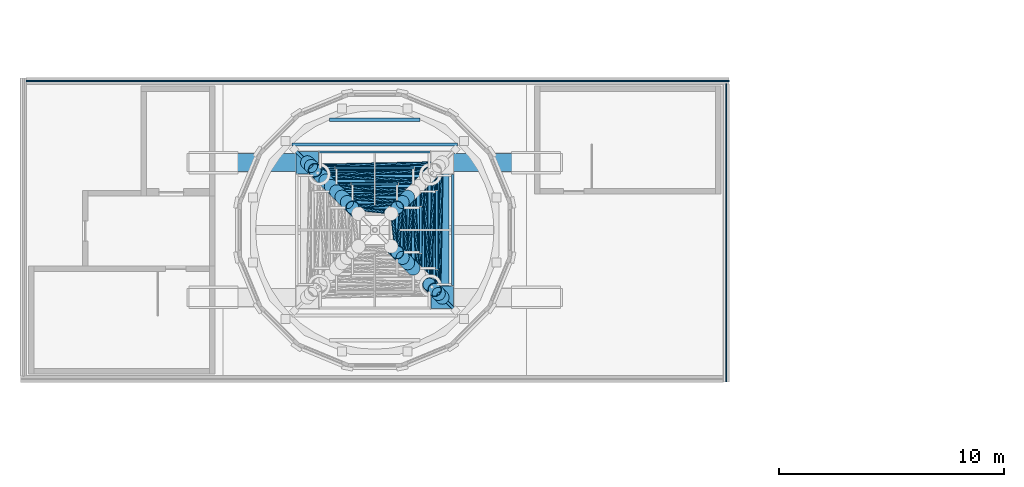
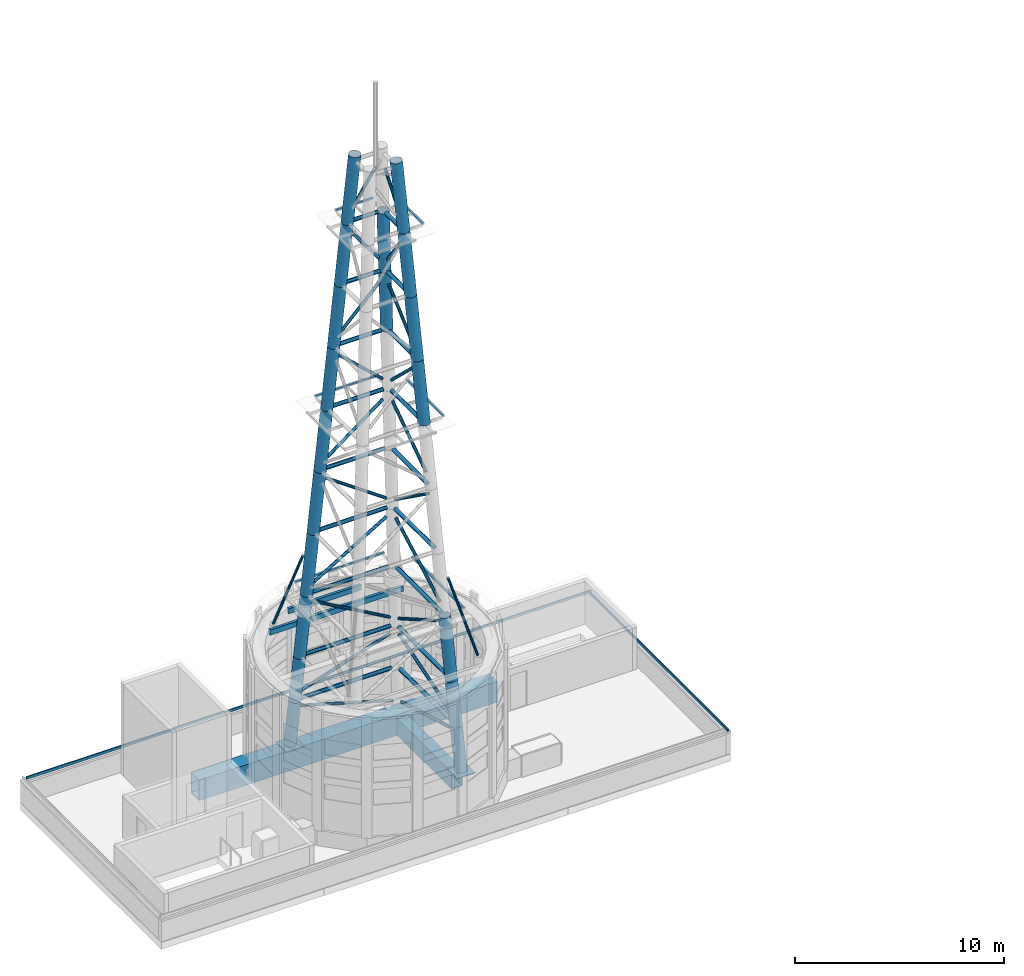
# One storey, part 4 of 36: 63 members, 10 beams.
"""IFC4 building model written with IfcOpenShell, lengths in metres."""

from ifc_helpers import new_model, si_unit, direction, frame, origin, origin_2d, place, context, subcontext, project, spatial, rectangle, hollow_rectangle, hollow_circle, extrude, material, material_profile, profile_set, type_object, element, save


model = new_model("IFC4")

# Units and contexts
model_context = context("Model", 3, precision=1e-05, world=origin(), true_north=direction((0.0, 1.0)))
body_context = subcontext(model_context, "Body", "Model", "MODEL_VIEW")
ifc_project = project(units=[si_unit("LENGTHUNIT", "METRE"), si_unit("AREAUNIT", "SQUARE_METRE"), si_unit("VOLUMEUNIT", "CUBIC_METRE"), si_unit("PLANEANGLEUNIT", "RADIAN"), si_unit("MASSUNIT", "GRAM", prefix="KILO")], contexts=[model_context])

# Site, building, storey
site_placement = place(None, origin())
site = spatial("IfcSite", under=ifc_project, at=site_placement, CompositionType="ELEMENT")
building_placement = place(site_placement, origin())
building = spatial("IfcBuilding", under=site, at=building_placement, Name="Ipe Terrace Towers", CompositionType="ELEMENT")
storey_placement = place(building_placement, frame((0.0, 0.0, 264.89990234375)))
storey = spatial("IfcBuildingStorey", under=building, at=storey_placement, Name="Roof", CompositionType="ELEMENT", Elevation=264.89990234375)

# Beams
ifc_material_1 = material(Name="Steel S355", Category="steel")
ifc_material_profile_1 = material_profile(ifc_material_1, hollow_rectangle(XDim=0.60009765625, YDim=1.0, WallThickness=0.030029296875, at=origin_2d()), Name="CROWN-CROSS BEAM BOX 600x1000x30")
ifc_profile_set_1 = profile_set([ifc_material_profile_1], Name="Steel S355")
beam_type_1 = type_object("IfcBeamType", Name="CROWN-CROSS BEAM BOX 600x1000x30", PredefinedType="BEAM", material=ifc_profile_set_1)
beam_1_placement = place(storey_placement, frame((-33.0, -2.60009765625, 0.5), z_axis=(0.0, 1.0, 0.0), x_axis=(-1.0, 0.0, 0.0)))
element("IfcBeam", 1, at=beam_1_placement, inside=storey, type_object=beam_type_1, Name="T1-CX2 crown cross beam", PredefinedType="BEAM", context=body_context, shape_type="SweptSolid", body=[
    extrude(hollow_rectangle(XDim=0.60009765625, YDim=1.0, WallThickness=0.030029296875, at=origin_2d()), origin(), (0.0, 0.0, 1.0), 5.2001953125),
])
ifc_material_2 = material(Name="Steel S355", Category="steel")
ifc_material_profile_2 = material_profile(ifc_material_2, hollow_rectangle(XDim=0.14990234375, YDim=0.300048828125, WallThickness=0.010009765625, at=origin_2d()), Name="CROWN-DRUM PURLIN BOX 150x300x10")
ifc_profile_set_2 = profile_set([ifc_material_profile_2], Name="Steel S355")
beam_type_2 = type_object("IfcBeamType", Name="CROWN-DRUM PURLIN BOX 150x300x10", PredefinedType="BEAM", material=ifc_profile_set_2)
beam_2_placement = place(storey_placement, frame((-39.68701171875, 3.800048828125, 7.550048828125), z_axis=(1.0, 0.0, 0.0), x_axis=(0.0, 1.0, 0.0)))
element("IfcBeam", 2, at=beam_2_placement, inside=storey, type_object=beam_type_2, Name="T1-CR-PU1N drum roof purlin", PredefinedType="BEAM", context=body_context, shape_type="SweptSolid", body=[
    extrude(hollow_rectangle(XDim=0.14990234375, YDim=0.300048828125, WallThickness=0.010009765625, at=origin_2d()), origin(), (0.0, 0.0, 1.0), 7.3740234375),
])
beam_3_placement = place(storey_placement, frame((-38.01806640625, 4.89990234375, 7.550048828125), z_axis=(1.0, 0.0, 0.0), x_axis=(0.0, 1.0, 0.0)))
element("IfcBeam", 3, at=beam_3_placement, inside=storey, type_object=beam_type_2, Name="T1-CR-PU2N drum roof purlin", PredefinedType="BEAM", context=body_context, shape_type="SweptSolid", body=[
    extrude(hollow_rectangle(XDim=0.14990234375, YDim=0.300048828125, WallThickness=0.010009765625, at=origin_2d()), origin(), (0.0, 0.0, 1.0), 4.0361328125),
])
ifc_material_3 = material(Name="Steel S355", Category="steel")
ifc_material_profile_3 = material_profile(ifc_material_3, hollow_rectangle(XDim=0.800048828125, YDim=1.199951171875, WallThickness=0.0400390625, at=origin_2d()), Name="CROWN-GIRDER BOX 800x1200x40")
ifc_profile_set_3 = profile_set([ifc_material_profile_3], Name="Steel S355")
beam_type_3 = type_object("IfcBeamType", Name="CROWN-GIRDER BOX 800x1200x40", PredefinedType="BEAM", material=ifc_profile_set_3)
beam_4_placement = place(storey_placement, frame((-44.25, 3.0, 0.60009765625), z_axis=(1.0, 0.0, 0.0), x_axis=(0.0, 1.0, 0.0)))
element("IfcBeam", 4, at=beam_4_placement, inside=storey, type_object=beam_type_3, Name="T1-CG2 crown girder", PredefinedType="BEAM", context=body_context, shape_type="SweptSolid", body=[
    extrude(hollow_rectangle(XDim=0.800048828125, YDim=1.199951171875, WallThickness=0.0400390625, at=origin_2d()), origin(), (0.0, 0.0, 1.0), 16.5),
])

# Members
ifc_material_4 = material(Name="Steel S355", Category="steel")
member_type_1 = type_object("IfcMemberType", Name="MAST-BASE PLATE 1000x1000x50", PredefinedType="PLATE", material=ifc_material_4)
for number, where, z_axis, x_axis, name in (
    (5, (-39.0, 3.0, 1.2001953125), (0.0, 0.0, 1.0), (1.0, 0.0, 0.0), "T1-MP-NW mast base plate"),
    (6, (-33.0, -3.0, 1.2001953125), (0.0, 0.0, 1.0), (1.0, 0.0, 0.0), "T1-MP-SE mast base plate"),
):
    element("IfcMember", number, at=place(storey_placement, frame(where, z_axis=z_axis, x_axis=x_axis)), inside=storey, type_object=member_type_1, Name=name, PredefinedType="PLATE", context=body_context, shape_type="SweptSolid", body=[
        extrude(rectangle(XDim=1.0, YDim=1.0, at=origin_2d()), origin(), (0.0, 0.0, 1.0), 0.050048828125),
    ])
ifc_material_5 = material(Name="Steel S355", Category="steel")
ifc_material_profile_4 = material_profile(ifc_material_5, hollow_circle(Radius=0.083984375, WallThickness=0.008056640625, at=origin_2d()), Name="MAST-BRACE CHS 168x8")
ifc_profile_set_4 = profile_set([ifc_material_profile_4], Name="Steel S355")
member_type_2 = type_object("IfcMemberType", Name="MAST-BRACE CHS 168x8", PredefinedType="BRACE", material=ifc_profile_set_4)
for number, where, z_axis, x_axis, name in (
    (7, (-33.0390625, 2.653076171875, 1.84619140625), (-0.018900125811, -0.95633740865, 0.291653126265), (0.999804768492, -0.019759172589, 0.0), "T1-MS-082 mast brace"),
    (8, (-33.346923828125, 2.9609375, 1.84619140625), (-0.95633740865, -0.018900125811, 0.291653126265), (0.019759172589, -0.999804768492, 0.0), "T1-MS-083 mast brace"),
):
    element("IfcMember", number, at=place(storey_placement, frame(where, z_axis=z_axis, x_axis=x_axis)), inside=storey, type_object=member_type_2, Name=name, PredefinedType="BRACE", context=body_context, shape_type="SweptSolid", body=[
        extrude(hollow_circle(Radius=0.083984375, WallThickness=0.008056640625, at=origin_2d()), origin(), (0.0, 0.0, 1.0), 5.451171875),
    ])
for number, where, z_axis, x_axis, name in (
    (9, (-33.199951171875, -2.489013671875, 4.337158203125), (-0.021489448759, 0.943457644837, 0.330795822209), (-0.999740697447, -0.022771426579, 0.0), "T1-MS-086 mast brace"),
    (10, (-38.489013671875, 2.800048828125, 4.337158203125), (0.943457644837, -0.021489448759, 0.330795822209), (0.022771426579, 0.999740697447, 0.0), "T1-MS-087 mast brace"),
):
    element("IfcMember", number, at=place(storey_placement, frame(where, z_axis=z_axis, x_axis=x_axis)), inside=storey, type_object=member_type_2, Name=name, PredefinedType="BRACE", context=body_context, shape_type="SweptSolid", body=[
        extrude(hollow_circle(Radius=0.083984375, WallThickness=0.008056640625, at=origin_2d()), origin(), (0.0, 0.0, 1.0), 5.169189453125),
    ])
for number, where, z_axis, x_axis, name in (
    (11, (-33.375, 2.299072265625, 7.049072265625), (-0.032799136464, -0.861593500924, 0.506538108944), (0.999276200493, -0.038040440683, 0.0), "T1-MS-090 mast brace"),
    (12, (-33.700927734375, 2.625, 7.049072265625), (-0.861593500924, -0.032799136464, 0.506538108944), (0.038040440683, -0.999276200493, 0.0), "T1-MS-091 mast brace"),
):
    element("IfcMember", number, at=place(storey_placement, frame(where, z_axis=z_axis, x_axis=x_axis)), inside=storey, type_object=member_type_2, Name=name, PredefinedType="BRACE", context=body_context, shape_type="SweptSolid", body=[
        extrude(hollow_circle(Radius=0.083984375, WallThickness=0.008056640625, at=origin_2d()), origin(), (0.0, 0.0, 1.0), 5.15087890625),
    ])
for number, where, z_axis, x_axis, name in (
    (13, (-33.615966796875, -2.055908203125, 10.760009765625), (-0.035198613688, 0.838296395107, 0.544077394811), (-0.999119656549, -0.041951303887, 0.0), "T1-MS-094 mast brace"),
    (14, (-38.055908203125, 2.384033203125, 10.760009765625), (0.838296395107, -0.035198613688, 0.544077394811), (0.041951303887, 0.999119656549, 0.0), "T1-MS-095 mast brace"),
):
    element("IfcMember", number, at=place(storey_placement, frame(where, z_axis=z_axis, x_axis=x_axis)), inside=storey, type_object=member_type_2, Name=name, PredefinedType="BRACE", context=body_context, shape_type="SweptSolid", body=[
        extrude(hollow_circle(Radius=0.083984375, WallThickness=0.008056640625, at=origin_2d()), origin(), (0.0, 0.0, 1.0), 4.716552734375),
    ])
for number, where, z_axis, x_axis, name in (
    (15, (-33.85595703125, 1.81201171875, 14.47705078125), (-0.038048207912, -0.809549669247, 0.58581709338), (0.998897362773, -0.046947402964, 0.0), "T1-MS-098 mast brace"),
    (16, (-34.18798828125, 2.14404296875, 14.47705078125), (-0.809549669247, -0.038048207912, 0.58581709338), (0.046947402964, -0.998897362773, 0.0), "T1-MS-099 mast brace"),
):
    element("IfcMember", number, at=place(storey_placement, frame(where, z_axis=z_axis, x_axis=x_axis)), inside=storey, type_object=member_type_2, Name=name, PredefinedType="BRACE", context=body_context, shape_type="SweptSolid", body=[
        extrude(hollow_circle(Radius=0.083984375, WallThickness=0.008056640625, at=origin_2d()), origin(), (0.0, 0.0, 1.0), 4.286376953125),
    ])
for number, where, z_axis, x_axis, name in (
    (17, (-34.097900390625, -1.56689453125, 18.2021484375), (-0.04098334077, 0.772991343968, 0.633091421463), (-0.998597441373, -0.052944783342, 0.0), "T1-MS-102 mast brace"),
    (18, (-37.56689453125, 1.902099609375, 18.2021484375), (0.772991343968, -0.04098334077, 0.633091421463), (0.052944783342, 0.998597441373, 0.0), "T1-MS-103 mast brace"),
):
    element("IfcMember", number, at=place(storey_placement, frame(where, z_axis=z_axis, x_axis=x_axis)), inside=storey, type_object=member_type_2, Name=name, PredefinedType="BRACE", context=body_context, shape_type="SweptSolid", body=[
        extrude(hollow_circle(Radius=0.083984375, WallThickness=0.008056640625, at=origin_2d()), origin(), (0.0, 0.0, 1.0), 3.860107421875),
    ])
for number, where, z_axis, x_axis, name in (
    (19, (-34.340087890625, 1.321044921875, 21.940185546875), (-0.044215908923, -0.727074463766, 0.685133328293), (0.998155975162, -0.060701311747, 0.0), "T1-MS-106 mast brace"),
    (20, (-34.678955078125, 1.659912109375, 21.940185546875), (-0.727074463766, -0.044215908923, 0.685133328293), (0.060701311747, -0.998155975162, 0.0), "T1-MS-107 mast brace"),
):
    element("IfcMember", number, at=place(storey_placement, frame(where, z_axis=z_axis, x_axis=x_axis)), inside=storey, type_object=member_type_2, Name=name, PredefinedType="BRACE", context=body_context, shape_type="SweptSolid", body=[
        extrude(hollow_circle(Radius=0.083984375, WallThickness=0.008056640625, at=origin_2d()), origin(), (0.0, 0.0, 1.0), 3.434326171875),
    ])
for number, where, z_axis, x_axis, name in (
    (21, (-34.5830078125, -1.073974609375, 25.697021484375), (-0.047924679705, 0.668752352567, 0.741939024456), (-0.997442068192, -0.071479511749, 0.0), "T1-MS-110 mast brace"),
    (22, (-37.073974609375, 1.4169921875, 25.697021484375), (0.668752352567, -0.047924679705, 0.741939024456), (0.071479511749, 0.997442068192, 0.0), "T1-MS-111 mast brace"),
):
    element("IfcMember", number, at=place(storey_placement, frame(where, z_axis=z_axis, x_axis=x_axis)), inside=storey, type_object=member_type_2, Name=name, PredefinedType="BRACE", context=body_context, shape_type="SweptSolid", body=[
        extrude(hollow_circle(Radius=0.083984375, WallThickness=0.008056640625, at=origin_2d()), origin(), (0.0, 0.0, 1.0), 3.005615234375),
    ])
for number, where, z_axis, x_axis, name in (
    (23, (-34.827880859375, 0.823974609375, 29.488037109375), (-0.052037864447, -0.594854854142, 0.802146971051), (0.996195452949, -0.087147114263, 0.0), "T1-MS-114 mast brace"),
    (24, (-35.176025390625, 1.172119140625, 29.488037109375), (-0.594854854142, -0.052037864447, 0.802146971051), (0.087147114263, -0.996195452949, 0.0), "T1-MS-115 mast brace"),
):
    element("IfcMember", number, at=place(storey_placement, frame(where, z_axis=z_axis, x_axis=x_axis)), inside=storey, type_object=member_type_2, Name=name, PredefinedType="BRACE", context=body_context, shape_type="SweptSolid", body=[
        extrude(hollow_circle(Radius=0.083984375, WallThickness=0.008056640625, at=origin_2d()), origin(), (0.0, 0.0, 1.0), 2.556884765625),
    ])
for number, where, z_axis, x_axis, name in (
    (25, (-35.077880859375, -0.570068359375, 33.342041015625), (-0.056120894342, 0.502115544078, 0.862977650703), (-0.993811777003, -0.111077233897, 0.0), "T1-MS-118 mast brace"),
    (26, (-36.570068359375, 0.922119140625, 33.342041015625), (0.502115544078, -0.056120894342, 0.862977650703), (0.111077233897, 0.993811777003, 0.0), "T1-MS-119 mast brace"),
):
    element("IfcMember", number, at=place(storey_placement, frame(where, z_axis=z_axis, x_axis=x_axis)), inside=storey, type_object=member_type_2, Name=name, PredefinedType="BRACE", context=body_context, shape_type="SweptSolid", body=[
        extrude(hollow_circle(Radius=0.083984375, WallThickness=0.008056640625, at=origin_2d()), origin(), (0.0, 0.0, 1.0), 2.05322265625),
    ])
ifc_material_6 = material(Name="Steel S355", Category="steel")
ifc_material_profile_5 = material_profile(ifc_material_6, hollow_circle(Radius=0.304931640625, WallThickness=0.02490234375, at=origin_2d()), Name="MAST-LEG CHS 610x25")
ifc_profile_set_5 = profile_set([ifc_material_profile_5], Name="Steel S355")
member_type_3 = type_object("IfcMemberType", Name="MAST-LEG CHS 610x25", PredefinedType="POST", material=ifc_profile_set_5)
member_1_placement = place(storey_placement, frame((-38.998046875, 2.998046875, 1.277099609375), z_axis=(0.064386978036, -0.064386978036, 0.995845687905), x_axis=(0.707106781187, 0.707106781187, 0.0)))
element("IfcMember", 27, at=member_1_placement, inside=storey, type_object=member_type_3, Name="T1-MS-011 mast leg", PredefinedType="POST", context=body_context, shape_type="SweptSolid", body=[
    extrude(hollow_circle(Radius=0.304931640625, WallThickness=0.02490234375, at=origin_2d()), origin(), (0.0, 0.0, 1.0), 2.608642578125),
])
member_2_placement = place(storey_placement, frame((-38.830078125, 2.830078125, 3.875), z_axis=(0.064554439306, -0.064554439306, 0.995824004898), x_axis=(0.707106781187, 0.707106781187, 0.0)))
element("IfcMember", 28, at=member_2_placement, inside=storey, type_object=member_type_3, Name="T1-MS-012 mast leg", PredefinedType="POST", context=body_context, shape_type="SweptSolid", body=[
    extrude(hollow_circle(Radius=0.304931640625, WallThickness=0.02490234375, at=origin_2d()), origin(), (0.0, 0.0, 1.0), 2.635986328125),
])
member_3_placement = place(storey_placement, frame((-38.659912109375, 2.659912109375, 6.5), z_axis=(0.064555132618, -0.064555132618, 0.99582391501), x_axis=(0.707106781187, 0.707106781187, 0.0)))
element("IfcMember", 29, at=member_3_placement, inside=storey, type_object=member_type_3, Name="T1-MS-013 mast leg", PredefinedType="POST", context=body_context, shape_type="SweptSolid", body=[
    extrude(hollow_circle(Radius=0.304931640625, WallThickness=0.02490234375, at=origin_2d()), origin(), (0.0, 0.0, 1.0), 3.702392578125),
])
member_4_placement = place(storey_placement, frame((-38.4208984375, 2.4208984375, 10.18701171875), z_axis=(0.064211293321, -0.064211293321, 0.995868374646), x_axis=(0.707106781187, 0.707106781187, 0.0)))
element("IfcMember", 30, at=member_4_placement, inside=storey, type_object=member_type_3, Name="T1-MS-014 mast leg", PredefinedType="POST", context=body_context, shape_type="SweptSolid", body=[
    extrude(hollow_circle(Radius=0.304931640625, WallThickness=0.02490234375, at=origin_2d()), origin(), (0.0, 0.0, 1.0), 3.703369140625),
])
member_5_placement = place(storey_placement, frame((-38.18310546875, 2.18310546875, 13.875), z_axis=(0.064555132618, -0.064555132618, 0.99582391501), x_axis=(0.707106781187, 0.707106781187, 0.0)))
element("IfcMember", 31, at=member_5_placement, inside=storey, type_object=member_type_3, Name="T1-MS-015 mast leg", PredefinedType="POST", context=body_context, shape_type="SweptSolid", body=[
    extrude(hollow_circle(Radius=0.304931640625, WallThickness=0.02490234375, at=origin_2d()), origin(), (0.0, 0.0, 1.0), 3.702392578125),
])
member_6_placement = place(storey_placement, frame((-37.944091796875, 1.944091796875, 17.56201171875), z_axis=(0.06453818113, -0.06453818113, 0.995826112508), x_axis=(0.707106781187, 0.707106781187, 0.0)))
element("IfcMember", 32, at=member_6_placement, inside=storey, type_object=member_type_3, Name="T1-MS-016 mast leg", PredefinedType="POST", context=body_context, shape_type="SweptSolid", body=[
    extrude(hollow_circle(Radius=0.304931640625, WallThickness=0.02490234375, at=origin_2d()), origin(), (0.0, 0.0, 1.0), 3.703369140625),
])
member_7_placement = place(storey_placement, frame((-37.705078125, 1.705078125, 21.25), z_axis=(0.064555132618, -0.064555132618, 0.99582391501), x_axis=(0.707106781187, 0.707106781187, 0.0)))
element("IfcMember", 33, at=member_7_placement, inside=storey, type_object=member_type_3, Name="T1-MS-017 mast leg", PredefinedType="POST", context=body_context, shape_type="SweptSolid", body=[
    extrude(hollow_circle(Radius=0.304931640625, WallThickness=0.02490234375, at=origin_2d()), origin(), (0.0, 0.0, 1.0), 3.702392578125),
])
member_8_placement = place(storey_placement, frame((-37.466064453125, 1.466064453125, 24.93701171875), z_axis=(0.06427667421, -0.06427667421, 0.9958599391), x_axis=(0.707106781187, 0.707106781187, 0.0)))
element("IfcMember", 34, at=member_8_placement, inside=storey, type_object=member_type_3, Name="T1-MS-018 mast leg", PredefinedType="POST", context=body_context, shape_type="SweptSolid", body=[
    extrude(hollow_circle(Radius=0.304931640625, WallThickness=0.02490234375, at=origin_2d()), origin(), (0.0, 0.0, 1.0), 3.703369140625),
])
member_9_placement = place(storey_placement, frame((-37.22802734375, 1.22802734375, 28.625), z_axis=(0.064555132618, -0.064555132618, 0.99582391501), x_axis=(0.707106781187, 0.707106781187, 0.0)))
element("IfcMember", 35, at=member_9_placement, inside=storey, type_object=member_type_3, Name="T1-MS-019 mast leg", PredefinedType="POST", context=body_context, shape_type="SweptSolid", body=[
    extrude(hollow_circle(Radius=0.304931640625, WallThickness=0.02490234375, at=origin_2d()), origin(), (0.0, 0.0, 1.0), 3.702392578125),
])
member_10_placement = place(storey_placement, frame((-36.989013671875, 0.989013671875, 32.31201171875), z_axis=(0.064601727709, -0.064601727709, 0.995817871678), x_axis=(0.707106781187, 0.707106781187, 0.0)))
element("IfcMember", 36, at=member_10_placement, inside=storey, type_object=member_type_3, Name="T1-MS-020 mast leg", PredefinedType="POST", context=body_context, shape_type="SweptSolid", body=[
    extrude(hollow_circle(Radius=0.304931640625, WallThickness=0.02490234375, at=origin_2d()), origin(), (0.0, 0.0, 1.0), 4.054931640625),
])
member_11_placement = place(storey_placement, frame((-33.001953125, -2.998046875, 1.277099609375), z_axis=(-0.064386978036, 0.064386978036, 0.995845687905), x_axis=(-0.707106781187, -0.707106781187, 0.0)))
element("IfcMember", 37, at=member_11_placement, inside=storey, type_object=member_type_3, Name="T1-MS-021 mast leg", PredefinedType="POST", context=body_context, shape_type="SweptSolid", body=[
    extrude(hollow_circle(Radius=0.304931640625, WallThickness=0.02490234375, at=origin_2d()), origin(), (0.0, 0.0, 1.0), 2.608642578125),
])
member_12_placement = place(storey_placement, frame((-33.169921875, -2.830078125, 3.875), z_axis=(-0.064554439306, 0.064554439306, 0.995824004898), x_axis=(-0.707106781187, -0.707106781187, 0.0)))
element("IfcMember", 38, at=member_12_placement, inside=storey, type_object=member_type_3, Name="T1-MS-022 mast leg", PredefinedType="POST", context=body_context, shape_type="SweptSolid", body=[
    extrude(hollow_circle(Radius=0.304931640625, WallThickness=0.02490234375, at=origin_2d()), origin(), (0.0, 0.0, 1.0), 2.635986328125),
])
for number, where, z_axis, x_axis, name in (
    (39, (-33.340087890625, -2.659912109375, 6.5), (-0.064555132618, 0.064555132618, 0.99582391501), (-0.707106781187, -0.707106781187, 0.0), "T1-MS-023 mast leg"),
    (40, (-34.294921875, -1.705078125, 21.25), (-0.064555132618, 0.064555132618, 0.99582391501), (-0.707106781187, -0.707106781187, 0.0), "T1-MS-027 mast leg"),
):
    element("IfcMember", number, at=place(storey_placement, frame(where, z_axis=z_axis, x_axis=x_axis)), inside=storey, type_object=member_type_3, Name=name, PredefinedType="POST", context=body_context, shape_type="SweptSolid", body=[
        extrude(hollow_circle(Radius=0.304931640625, WallThickness=0.02490234375, at=origin_2d()), origin(), (0.0, 0.0, 1.0), 3.702392578125),
    ])
member_13_placement = place(storey_placement, frame((-34.533935546875, -1.466064453125, 24.93701171875), z_axis=(-0.06427667421, 0.06427667421, 0.9958599391), x_axis=(-0.707106781187, -0.707106781187, 0.0)))
element("IfcMember", 41, at=member_13_placement, inside=storey, type_object=member_type_3, Name="T1-MS-028 mast leg", PredefinedType="POST", context=body_context, shape_type="SweptSolid", body=[
    extrude(hollow_circle(Radius=0.304931640625, WallThickness=0.02490234375, at=origin_2d()), origin(), (0.0, 0.0, 1.0), 3.703369140625),
])
member_14_placement = place(storey_placement, frame((-34.77197265625, -1.22802734375, 28.625), z_axis=(-0.064555132618, 0.064555132618, 0.99582391501), x_axis=(-0.707106781187, -0.707106781187, 0.0)))
element("IfcMember", 42, at=member_14_placement, inside=storey, type_object=member_type_3, Name="T1-MS-029 mast leg", PredefinedType="POST", context=body_context, shape_type="SweptSolid", body=[
    extrude(hollow_circle(Radius=0.304931640625, WallThickness=0.02490234375, at=origin_2d()), origin(), (0.0, 0.0, 1.0), 3.702392578125),
])
member_15_placement = place(storey_placement, frame((-35.010986328125, -0.989013671875, 32.31201171875), z_axis=(-0.064601727709, 0.064601727709, 0.995817871678), x_axis=(-0.707106781187, -0.707106781187, 0.0)))
element("IfcMember", 43, at=member_15_placement, inside=storey, type_object=member_type_3, Name="T1-MS-030 mast leg", PredefinedType="POST", context=body_context, shape_type="SweptSolid", body=[
    extrude(hollow_circle(Radius=0.304931640625, WallThickness=0.02490234375, at=origin_2d()), origin(), (0.0, 0.0, 1.0), 4.054931640625),
])
member_16_placement = place(storey_placement, frame((-34.533935546875, 1.466064453125, 24.93701171875), z_axis=(-0.06427667421, -0.06427667421, 0.9958599391), x_axis=(0.707106781187, -0.707106781187, 0.0)))
element("IfcMember", 44, at=member_16_placement, inside=storey, type_object=member_type_3, Name="T1-MS-038 mast leg", PredefinedType="POST", context=body_context, shape_type="SweptSolid", body=[
    extrude(hollow_circle(Radius=0.304931640625, WallThickness=0.02490234375, at=origin_2d()), origin(), (0.0, 0.0, 1.0), 3.703369140625),
])
member_17_placement = place(storey_placement, frame((-34.77197265625, 1.22802734375, 28.625), z_axis=(-0.064555132618, -0.064555132618, 0.99582391501), x_axis=(0.707106781187, -0.707106781187, 0.0)))
element("IfcMember", 45, at=member_17_placement, inside=storey, type_object=member_type_3, Name="T1-MS-039 mast leg", PredefinedType="POST", context=body_context, shape_type="SweptSolid", body=[
    extrude(hollow_circle(Radius=0.304931640625, WallThickness=0.02490234375, at=origin_2d()), origin(), (0.0, 0.0, 1.0), 3.702392578125),
])

# Beams
ifc_material_7 = material(Name="Steel S355", Category="steel")
ifc_material_profile_6 = material_profile(ifc_material_7, hollow_rectangle(XDim=0.10009765625, YDim=0.10009765625, WallThickness=0.006103515625, at=origin_2d()), Name="MAST-PLATFORM EDGE BEAM BOX 100x100x6")
ifc_profile_set_6 = profile_set([ifc_material_profile_6], Name="Steel S355")
beam_type_4 = type_object("IfcBeamType", Name="MAST-PLATFORM EDGE BEAM BOX 100x100x6", PredefinedType="BEAM", material=ifc_profile_set_6)
for number, where, z_axis, x_axis, name in (
    (46, (-38.470947265625, 3.470947265625, 10.2470703125), (1.0, 0.0, 0.0), (0.0, 1.0, 0.0), "T1-MS-130 mast platform edge beam"),
    (47, (-32.529052734375, -2.470947265625, 10.2470703125), (0.0, 1.0, 0.0), (-1.0, 0.0, 0.0), "T1-MS-132 mast platform edge beam"),
):
    element("IfcBeam", number, at=place(storey_placement, frame(where, z_axis=z_axis, x_axis=x_axis)), inside=storey, type_object=beam_type_4, Name=name, PredefinedType="BEAM", context=body_context, shape_type="SweptSolid", body=[
        extrude(hollow_rectangle(XDim=0.10009765625, YDim=0.10009765625, WallThickness=0.006103515625, at=origin_2d()), origin(), (0.0, 0.0, 1.0), 4.94189453125),
    ])
for number, where, z_axis, x_axis, name in (
    (48, (-37.7548828125, 2.7548828125, 21.31005859375), (1.0, 0.0, 0.0), (0.0, 1.0, 0.0), "T1-MS-146 mast platform edge beam"),
    (49, (-33.2451171875, -1.7548828125, 21.31005859375), (0.0, 1.0, 0.0), (-1.0, 0.0, 0.0), "T1-MS-148 mast platform edge beam"),
):
    element("IfcBeam", number, at=place(storey_placement, frame(where, z_axis=z_axis, x_axis=x_axis)), inside=storey, type_object=beam_type_4, Name=name, PredefinedType="BEAM", context=body_context, shape_type="SweptSolid", body=[
        extrude(hollow_rectangle(XDim=0.10009765625, YDim=0.10009765625, WallThickness=0.006103515625, at=origin_2d()), origin(), (0.0, 0.0, 1.0), 3.509765625),
    ])
for number, where, z_axis, x_axis, name in (
    (50, (-37.0390625, 2.0390625, 32.3720703125), (1.0, 0.0, 0.0), (0.0, 1.0, 0.0), "T1-MS-162 mast platform edge beam"),
    (51, (-33.9609375, -1.0390625, 32.3720703125), (0.0, 1.0, 0.0), (-1.0, 0.0, 0.0), "T1-MS-164 mast platform edge beam"),
):
    element("IfcBeam", number, at=place(storey_placement, frame(where, z_axis=z_axis, x_axis=x_axis)), inside=storey, type_object=beam_type_4, Name=name, PredefinedType="BEAM", context=body_context, shape_type="SweptSolid", body=[
        extrude(hollow_rectangle(XDim=0.10009765625, YDim=0.10009765625, WallThickness=0.006103515625, at=origin_2d()), origin(), (0.0, 0.0, 1.0), 2.078125),
    ])

# Members
ifc_material_8 = material(Name="Steel S355", Category="steel")
ifc_material_profile_7 = material_profile(ifc_material_8, hollow_circle(Radius=0.109619140625, WallThickness=0.010009765625, at=origin_2d()), Name="MAST-RING CHS 219x10")
ifc_profile_set_7 = profile_set([ifc_material_profile_7], Name="Steel S355")
member_type_4 = type_object("IfcMemberType", Name="MAST-RING CHS 219x10", PredefinedType="STRUT", material=ifc_profile_set_7)
for number, where, z_axis, x_axis, name in (
    (52, (-33.169921875, -2.51806640625, 3.875), (0.0, 1.0, 0.0), (-1.0, 0.0, 0.0), "T1-MS-042 mast ring"),
    (53, (-33.48193359375, 2.830078125, 3.875), (-1.0, 0.0, 0.0), (0.0, -1.0, 0.0), "T1-MS-043 mast ring"),
):
    element("IfcMember", number, at=place(storey_placement, frame(where, z_axis=z_axis, x_axis=x_axis)), inside=storey, type_object=member_type_4, Name=name, PredefinedType="STRUT", context=body_context, shape_type="SweptSolid", body=[
        extrude(hollow_circle(Radius=0.109619140625, WallThickness=0.010009765625, at=origin_2d()), origin(), (0.0, 0.0, 1.0), 5.0361328125),
    ])
for number, where, z_axis, x_axis, name in (
    (54, (-33.340087890625, -2.347900390625, 6.5), (0.0, 1.0, 0.0), (-1.0, 0.0, 0.0), "T1-MS-046 mast ring"),
    (55, (-33.652099609375, 2.659912109375, 6.5), (-1.0, 0.0, 0.0), (0.0, -1.0, 0.0), "T1-MS-047 mast ring"),
):
    element("IfcMember", number, at=place(storey_placement, frame(where, z_axis=z_axis, x_axis=x_axis)), inside=storey, type_object=member_type_4, Name=name, PredefinedType="STRUT", context=body_context, shape_type="SweptSolid", body=[
        extrude(hollow_circle(Radius=0.109619140625, WallThickness=0.010009765625, at=origin_2d()), origin(), (0.0, 0.0, 1.0), 4.69580078125),
    ])
for number, where, z_axis, x_axis, name in (
    (56, (-33.5791015625, -2.10888671875, 10.18701171875), (0.0, 1.0, 0.0), (-1.0, 0.0, 0.0), "T1-MS-050 mast ring"),
    (57, (-33.89111328125, 2.4208984375, 10.18701171875), (-1.0, 0.0, 0.0), (0.0, -1.0, 0.0), "T1-MS-051 mast ring"),
):
    element("IfcMember", number, at=place(storey_placement, frame(where, z_axis=z_axis, x_axis=x_axis)), inside=storey, type_object=member_type_4, Name=name, PredefinedType="STRUT", context=body_context, shape_type="SweptSolid", body=[
        extrude(hollow_circle(Radius=0.109619140625, WallThickness=0.010009765625, at=origin_2d()), origin(), (0.0, 0.0, 1.0), 4.2177734375),
    ])
for number, where, z_axis, x_axis, name in (
    (58, (-33.81689453125, -1.8701171875, 13.875), (0.0, 1.0, 0.0), (-1.0, 0.0, 0.0), "T1-MS-054 mast ring"),
    (59, (-34.1298828125, 2.18310546875, 13.875), (-1.0, 0.0, 0.0), (0.0, -1.0, 0.0), "T1-MS-055 mast ring"),
):
    element("IfcMember", number, at=place(storey_placement, frame(where, z_axis=z_axis, x_axis=x_axis)), inside=storey, type_object=member_type_4, Name=name, PredefinedType="STRUT", context=body_context, shape_type="SweptSolid", body=[
        extrude(hollow_circle(Radius=0.109619140625, WallThickness=0.010009765625, at=origin_2d()), origin(), (0.0, 0.0, 1.0), 3.740234375),
    ])
for number, where, z_axis, x_axis, name in (
    (60, (-34.055908203125, -1.632080078125, 17.56201171875), (0.0, 1.0, 0.0), (-1.0, 0.0, 0.0), "T1-MS-058 mast ring"),
    (61, (-34.367919921875, 1.944091796875, 17.56201171875), (-1.0, 0.0, 0.0), (0.0, -1.0, 0.0), "T1-MS-059 mast ring"),
):
    element("IfcMember", number, at=place(storey_placement, frame(where, z_axis=z_axis, x_axis=x_axis)), inside=storey, type_object=member_type_4, Name=name, PredefinedType="STRUT", context=body_context, shape_type="SweptSolid", body=[
        extrude(hollow_circle(Radius=0.109619140625, WallThickness=0.010009765625, at=origin_2d()), origin(), (0.0, 0.0, 1.0), 3.26416015625),
    ])
for number, where, z_axis, x_axis, name in (
    (62, (-34.294921875, -1.39306640625, 21.25), (0.0, 1.0, 0.0), (-1.0, 0.0, 0.0), "T1-MS-062 mast ring"),
    (63, (-34.60693359375, 1.705078125, 21.25), (-1.0, 0.0, 0.0), (0.0, -1.0, 0.0), "T1-MS-063 mast ring"),
):
    element("IfcMember", number, at=place(storey_placement, frame(where, z_axis=z_axis, x_axis=x_axis)), inside=storey, type_object=member_type_4, Name=name, PredefinedType="STRUT", context=body_context, shape_type="SweptSolid", body=[
        extrude(hollow_circle(Radius=0.109619140625, WallThickness=0.010009765625, at=origin_2d()), origin(), (0.0, 0.0, 1.0), 2.7861328125),
    ])
for number, where, z_axis, x_axis, name in (
    (64, (-34.533935546875, -1.154052734375, 24.93701171875), (0.0, 1.0, 0.0), (-1.0, 0.0, 0.0), "T1-MS-066 mast ring"),
    (65, (-34.845947265625, 1.466064453125, 24.93701171875), (-1.0, 0.0, 0.0), (0.0, -1.0, 0.0), "T1-MS-067 mast ring"),
):
    element("IfcMember", number, at=place(storey_placement, frame(where, z_axis=z_axis, x_axis=x_axis)), inside=storey, type_object=member_type_4, Name=name, PredefinedType="STRUT", context=body_context, shape_type="SweptSolid", body=[
        extrude(hollow_circle(Radius=0.109619140625, WallThickness=0.010009765625, at=origin_2d()), origin(), (0.0, 0.0, 1.0), 2.30810546875),
    ])
for number, where, z_axis, x_axis, name in (
    (66, (-34.77197265625, -0.9150390625, 28.625), (0.0, 1.0, 0.0), (-1.0, 0.0, 0.0), "T1-MS-070 mast ring"),
    (67, (-35.0849609375, 1.22802734375, 28.625), (-1.0, 0.0, 0.0), (0.0, -1.0, 0.0), "T1-MS-071 mast ring"),
):
    element("IfcMember", number, at=place(storey_placement, frame(where, z_axis=z_axis, x_axis=x_axis)), inside=storey, type_object=member_type_4, Name=name, PredefinedType="STRUT", context=body_context, shape_type="SweptSolid", body=[
        extrude(hollow_circle(Radius=0.109619140625, WallThickness=0.010009765625, at=origin_2d()), origin(), (0.0, 0.0, 1.0), 1.830078125),
    ])
for number, where, z_axis, x_axis, name in (
    (68, (-35.010986328125, -0.677001953125, 32.31201171875), (0.0, 1.0, 0.0), (-1.0, 0.0, 0.0), "T1-MS-074 mast ring"),
    (69, (-35.322998046875, 0.989013671875, 32.31201171875), (-1.0, 0.0, 0.0), (0.0, -1.0, 0.0), "T1-MS-075 mast ring"),
):
    element("IfcMember", number, at=place(storey_placement, frame(where, z_axis=z_axis, x_axis=x_axis)), inside=storey, type_object=member_type_4, Name=name, PredefinedType="STRUT", context=body_context, shape_type="SweptSolid", body=[
        extrude(hollow_circle(Radius=0.109619140625, WallThickness=0.010009765625, at=origin_2d()), origin(), (0.0, 0.0, 1.0), 1.35400390625),
    ])
ifc_material_9 = material(Name="Steel S355", Category="steel")
ifc_material_profile_8 = material_profile(ifc_material_9, hollow_circle(Radius=0.070068359375, WallThickness=0.008056640625, at=origin_2d()), Name="MAST-STAY CHS 140x8")
ifc_profile_set_8 = profile_set([ifc_material_profile_8], Name="Steel S355")
member_type_5 = type_object("IfcMemberType", Name="MAST-STAY CHS 140x8", PredefinedType="BRACE", material=ifc_profile_set_8)
for number, where, z_axis, x_axis, name in (
    (70, (-39.5859375, 3.5859375, 8.132080078125), (0.231014213208, -0.231014213208, 0.945126905019), (0.707106781187, 0.707106781187, 0.0), "T1-MS-S2 mast stay"),
    (71, (-32.4140625, -3.5859375, 8.132080078125), (-0.231014213208, 0.231014213208, 0.945126905019), (-0.707106781187, -0.707106781187, 0.0), "T1-MS-S3 mast stay"),
):
    element("IfcMember", number, at=place(storey_placement, frame(where, z_axis=z_axis, x_axis=x_axis)), inside=storey, type_object=member_type_5, Name=name, PredefinedType="BRACE", context=body_context, shape_type="SweptSolid", body=[
        extrude(hollow_circle(Radius=0.070068359375, WallThickness=0.008056640625, at=origin_2d()), origin(), (0.0, 0.0, 1.0), 4.51904296875),
    ])
ifc_material_10 = material(Name="Stainless steel S316", Category="steel")
ifc_material_profile_9 = material_profile(ifc_material_10, rectangle(XDim=0.06005859375, YDim=0.14990234375, at=origin_2d()), Name="SNOW GUARD BAR")
ifc_profile_set_9 = profile_set([ifc_material_profile_9], Name="Stainless steel S316")
member_type_6 = type_object("IfcMemberType", Name="SNOW GUARD BAR", PredefinedType="USERDEFINED", material=ifc_profile_set_9)
member_18_placement = place(storey_placement, frame((-20.375, -6.75, 1.43505859375), z_axis=(0.0, 1.0, 0.0), x_axis=(-1.0, 0.0, 0.0)))
element("IfcMember", 72, at=member_18_placement, inside=storey, type_object=member_type_6, Name="snow guard bar", ObjectType="SNOW GUARD", PredefinedType="USERDEFINED", context=body_context, shape_type="SweptSolid", body=[
    extrude(rectangle(XDim=0.06005859375, YDim=0.14990234375, at=origin_2d()), origin(), (0.0, 0.0, 1.0), 13.25),
])
member_19_placement = place(storey_placement, frame((-20.25, 6.625, 1.43505859375), z_axis=(-1.0, 0.0, 0.0), x_axis=(0.0, -1.0, 0.0)))
element("IfcMember", 73, at=member_19_placement, inside=storey, type_object=member_type_6, Name="snow guard bar", ObjectType="SNOW GUARD", PredefinedType="USERDEFINED", context=body_context, shape_type="SweptSolid", body=[
    extrude(rectangle(XDim=0.06005859375, YDim=0.14990234375, at=origin_2d()), origin(), (0.0, 0.0, 1.0), 31.25),
])

save(model, "model.ifc")
